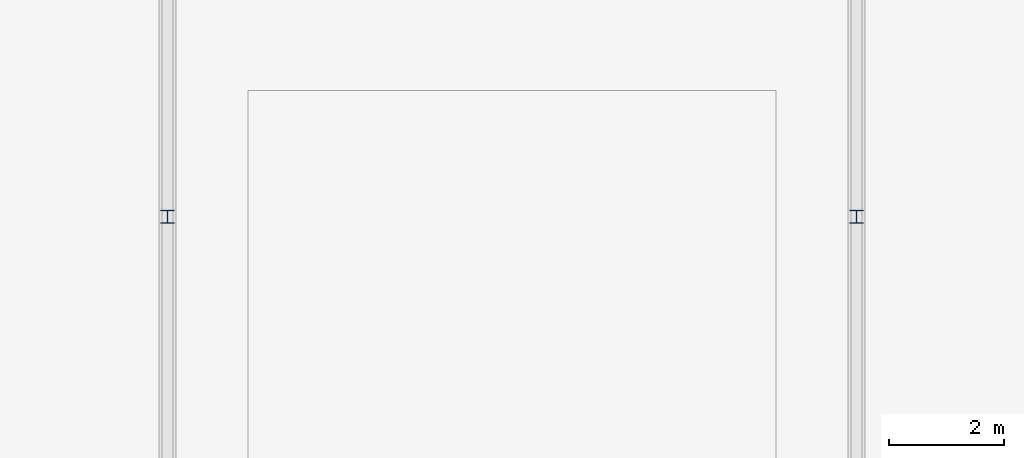
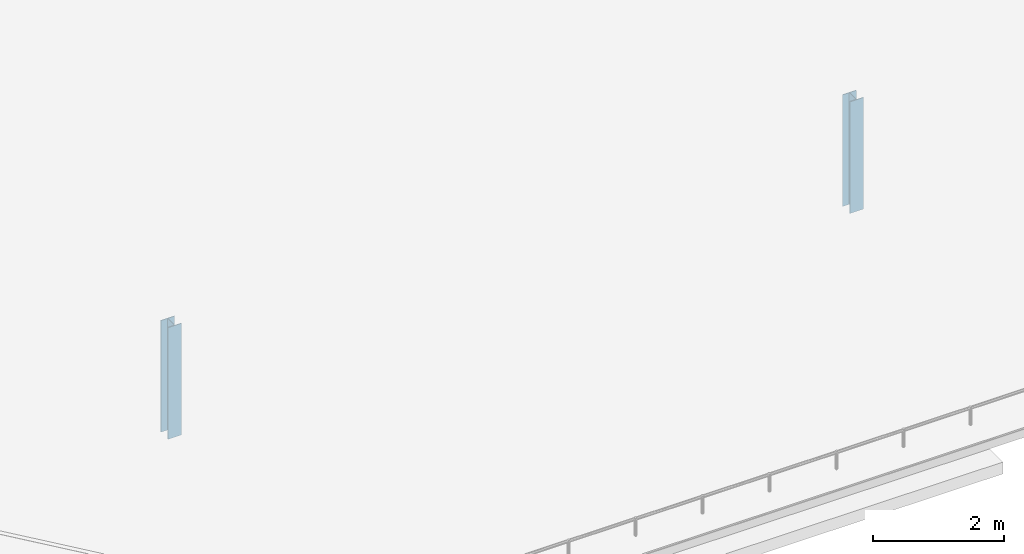
# One storey, part 4 of 204: 2 members.
"""IFC4 building model written with IfcOpenShell, lengths in metres."""

from ifc_helpers import new_model, si_unit, direction, frame, origin, origin_2d, place, context, subcontext, project, spatial, i_section, extrude, material, material_profile, profile_set, type_object, element, save


model = new_model("IFC4")

# Units and contexts
model_context = context("Model", 3, precision=1e-05, world=origin(), true_north=direction((0.0, 1.0)))
body_context = subcontext(model_context, "Body", "Model", "MODEL_VIEW")
ifc_project = project(units=[si_unit("LENGTHUNIT", "METRE"), si_unit("AREAUNIT", "SQUARE_METRE"), si_unit("VOLUMEUNIT", "CUBIC_METRE"), si_unit("PLANEANGLEUNIT", "RADIAN"), si_unit("MASSUNIT", "GRAM", prefix="KILO")], contexts=[model_context])

# Site, building, storey
site_placement = place(None, origin())
site = spatial("IfcSite", under=ifc_project, at=site_placement, CompositionType="ELEMENT")
building_placement = place(site_placement, origin())
building = spatial("IfcBuilding", under=site, at=building_placement, Name="Zilviju Railside Exhibition Hall", CompositionType="ELEMENT")
storey_placement = place(building_placement, frame((0.0, 0.0, 21.0)))
storey = spatial("IfcBuildingStorey", under=building, at=storey_placement, Name="RF", CompositionType="ELEMENT", Elevation=21.0)

# Members
ifc_material = material(Name="Steel S355J2", Category="steel")
ifc_material_profile = material_profile(ifc_material, i_section(OverallWidth=0.239990234375, OverallDepth=0.22998046875, WebThickness=0.007568359375, FlangeThickness=0.011962890625, at=origin_2d()), Name="HEA 240")
ifc_profile_set = profile_set([ifc_material_profile], Name="Steel S355J2")
member_type = type_object("IfcMemberType", Name="TR-POST-HEA240", PredefinedType="POST", material=ifc_profile_set)
for number, where, z_axis, x_axis, name in (
    (1, (12.0, 43.0, -8.39990234375), (0.0, 0.0, 1.0), (1.0, 0.0, 0.0), "Congress Truss Web Post X=12.0"),
    (2, (24.0, 43.0, -8.39990234375), (0.0, 0.0, 1.0), (1.0, 0.0, 0.0), "Congress Truss Web Post X=24.0"),
):
    element("IfcMember", number, at=place(storey_placement, frame(where, z_axis=z_axis, x_axis=x_axis)), inside=storey, type_object=member_type, Name=name, PredefinedType="POST", context=body_context, shape_type="SweptSolid", body=[
        extrude(i_section(OverallWidth=0.239990234375, OverallDepth=0.22998046875, WebThickness=0.007568359375, FlangeThickness=0.011962890625, at=origin_2d()), origin(), (0.0, 0.0, 1.0), 2.079833984375),
    ])

save(model, "model.ifc")
